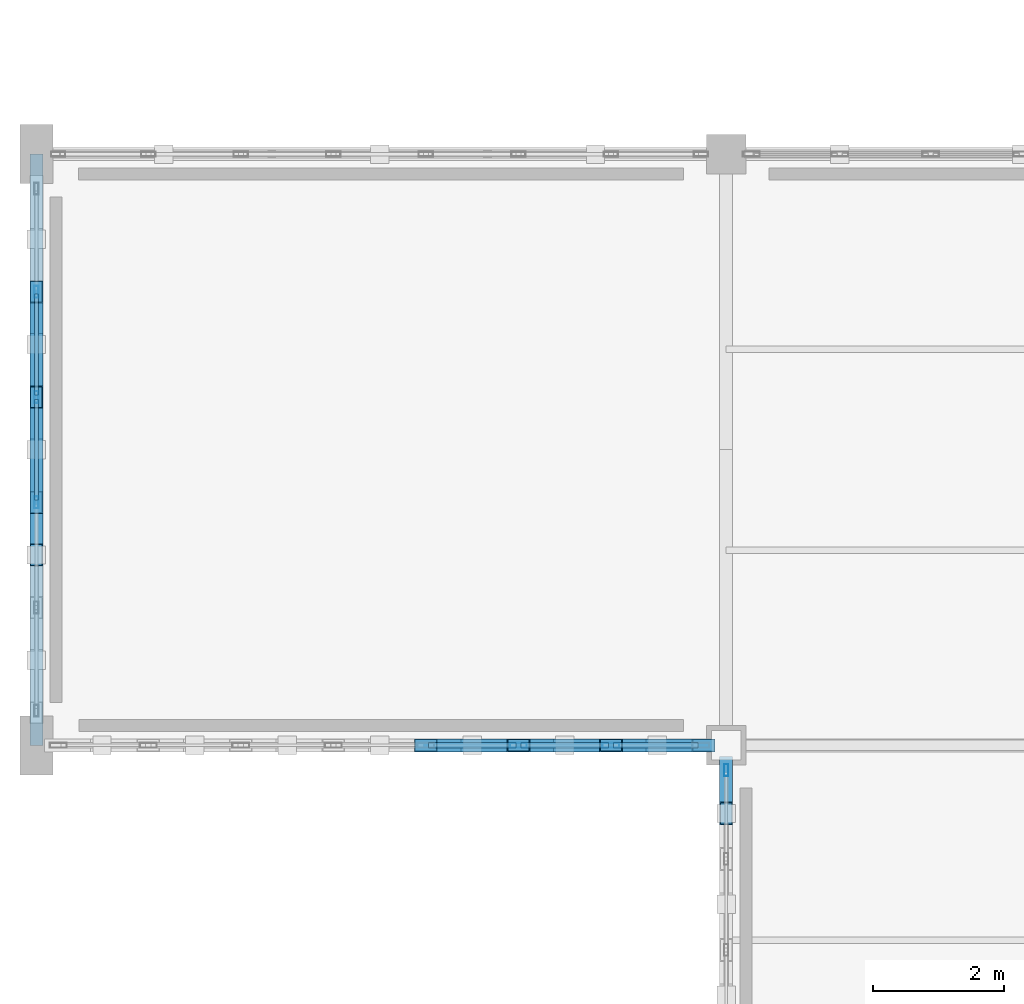
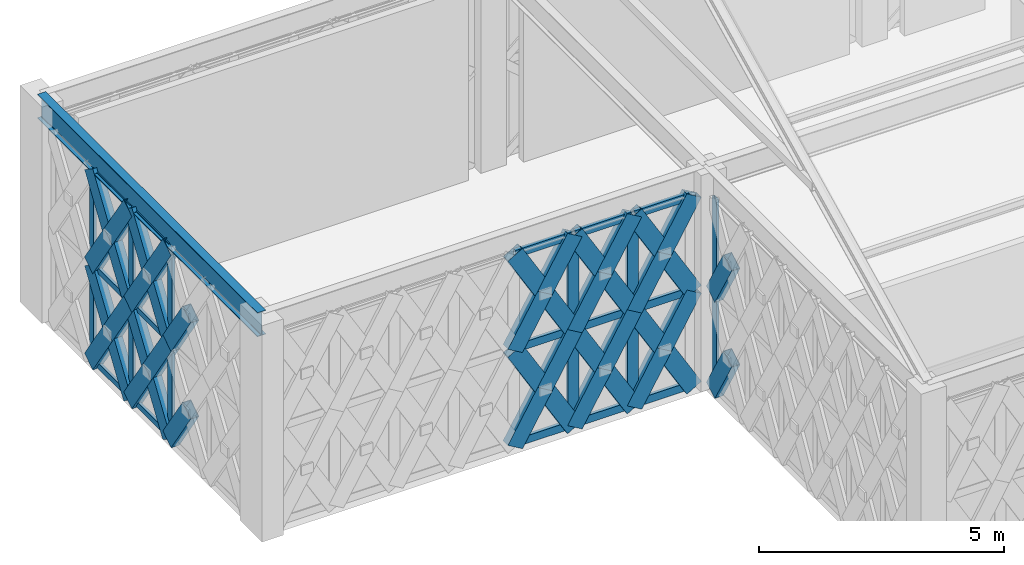
# One storey, part 5 of 32: 55 members, 1 beam, 3 elements without a shape of their own.
"""IFC4 building model written with IfcOpenShell, lengths in metres."""

from ifc_helpers import new_model, si_unit, direction, frame, origin, origin_2d, place, context, subcontext, project, spatial, hollow_rectangle, i_section, extrude, material, material_profile, profile_set, type_object, element, aggregate, save


model = new_model("IFC4")

# Units and contexts
model_context = context("Model", 3, precision=1e-05, world=origin(), true_north=direction((0.0, 1.0)))
body_context = subcontext(model_context, "Body", "Model", "MODEL_VIEW")
ifc_project = project(units=[si_unit("LENGTHUNIT", "METRE"), si_unit("AREAUNIT", "SQUARE_METRE"), si_unit("VOLUMEUNIT", "CUBIC_METRE"), si_unit("PLANEANGLEUNIT", "RADIAN"), si_unit("MASSUNIT", "GRAM", prefix="KILO")], contexts=[model_context])

# Site, building, storey
site_placement = place(None, origin())
site = spatial("IfcSite", under=ifc_project, at=site_placement, CompositionType="ELEMENT")
building_placement = place(site_placement, origin())
building = spatial("IfcBuilding", under=site, at=building_placement, Name="Haizhuo Lancet Aquarium", CompositionType="ELEMENT")
storey_placement = place(building_placement, frame((0.0, 0.0, 27.0)))
storey = spatial("IfcBuildingStorey", under=building, at=storey_placement, Name="L05", CompositionType="ELEMENT", Elevation=27.0)

# Beam
ifc_material_1 = material(Name="Steel S355", Category="steel")
ifc_material_profile_1 = material_profile(ifc_material_1, i_section(OverallWidth=0.199951171875, OverallDepth=0.60009765625, WebThickness=0.010986328125, FlangeThickness=0.01708984375, FilletRadius=0.02197265625, at=origin_2d()), Name="HN 600x200x11x17")
ifc_profile_set_1 = profile_set([ifc_material_profile_1], Name="Steel S355")
beam_type = type_object("IfcBeamType", Name="BM-ST-HN600", PredefinedType="BEAM", material=ifc_profile_set_1)
beam_placement = place(storey_placement, frame((-82.5, -18.0, 5.10009765625), z_axis=(0.0, 1.0, 0.0), x_axis=(-1.0, 0.0, 0.0)))
element("IfcBeam", 1, at=beam_placement, inside=storey, type_object=beam_type, Name="L05 V6 primary girder BM-L05-V6-001", PredefinedType="BEAM", context=body_context, shape_type="SweptSolid", body=[
    extrude(i_section(OverallWidth=0.199951171875, OverallDepth=0.60009765625, WebThickness=0.010986328125, FlangeThickness=0.01708984375, FilletRadius=0.02197265625, at=origin_2d()), origin(), (0.0, 0.0, 1.0), 9.0),
])

# Curtain wall, members
ifc_material_2 = material(Name="Aluminium 6063-T6", Category="aluminium")
curtain_wall_type_1 = type_object("IfcCurtainWallType", Name="CWD-8010x4800", PredefinedType="NOTDEFINED", material=ifc_material_2)
curtain_wall_1_placement = place(storey_placement, origin())
curtain_wall_1 = element("IfcCurtainWall", 2, at=curtain_wall_1_placement, inside=storey, type_object=curtain_wall_type_1, Name="L05 curtain wall CW-V6-L05-259", PredefinedType="NOTDEFINED")
ifc_material_profile_2 = material_profile(ifc_material_2, hollow_rectangle(XDim=0.06494140625, YDim=0.179931640625, WallThickness=0.00390625, at=origin_2d()), Name="ALU-M 65x180x4")
ifc_profile_set_2 = profile_set([ifc_material_profile_2], Name="Aluminium 6063-T6")
member_type_1 = type_object("IfcMemberType", Name="CW-MUL-1", PredefinedType="MULLION", material=ifc_profile_set_2)
member_1_placement = place(storey_placement, frame((-82.5, -14.301025390625, 0.0), z_axis=(0.0, 0.0, 1.0), x_axis=(-1.0, 0.0, 0.0)))
member_1 = element("IfcMember", 3, at=member_1_placement, type_object=member_type_1, Name="CWD-80x48 mullion 3", PredefinedType="MULLION", context=body_context, shape_type="SweptSolid", body=[
    extrude(hollow_rectangle(XDim=0.06494140625, YDim=0.179931640625, WallThickness=0.00390625, at=origin_2d()), origin(), (0.0, 0.0, 1.0), 4.800048828125),
])
member_2_placement = place(storey_placement, frame((-82.5, -12.698974609375, 0.0), z_axis=(0.0, 0.0, 1.0), x_axis=(-1.0, 0.0, 0.0)))
member_2 = element("IfcMember", 4, at=member_2_placement, type_object=member_type_1, Name="CWD-80x48 mullion 4", PredefinedType="MULLION", context=body_context, shape_type="SweptSolid", body=[
    extrude(hollow_rectangle(XDim=0.06494140625, YDim=0.179931640625, WallThickness=0.00390625, at=origin_2d()), origin(), (0.0, 0.0, 1.0), 4.800048828125),
])
member_3_placement = place(storey_placement, frame((-82.5, -11.096923828125, 0.0), z_axis=(0.0, 0.0, 1.0), x_axis=(-1.0, 0.0, 0.0)))
member_3 = element("IfcMember", 5, at=member_3_placement, type_object=member_type_1, Name="CWD-80x48 mullion 5", PredefinedType="MULLION", context=body_context, shape_type="SweptSolid", body=[
    extrude(hollow_rectangle(XDim=0.06494140625, YDim=0.179931640625, WallThickness=0.00390625, at=origin_2d()), origin(), (0.0, 0.0, 1.0), 4.800048828125),
])

# Curtain wall, member
curtain_wall_type_2 = type_object("IfcCurtainWallType", Name="CWD-8310x4800", PredefinedType="NOTDEFINED", material=ifc_material_2)
curtain_wall_2_placement = place(storey_placement, origin())
curtain_wall_2 = element("IfcCurtainWall", 6, at=curtain_wall_2_placement, inside=storey, type_object=curtain_wall_type_2, Name="L05 curtain wall CW-V6-L05-271", PredefinedType="NOTDEFINED")
member_4_placement = place(storey_placement, frame((-72.0, -18.376953125, 0.0), z_axis=(0.0, 0.0, 1.0), x_axis=(-1.0, 0.0, 0.0)))
member_4 = element("IfcMember", 7, at=member_4_placement, type_object=member_type_1, Name="CWD-83x48 mullion 7", PredefinedType="MULLION", context=body_context, shape_type="SweptSolid", body=[
    extrude(hollow_rectangle(XDim=0.06494140625, YDim=0.179931640625, WallThickness=0.00390625, at=origin_2d()), origin(), (0.0, 0.0, 1.0), 4.800048828125),
])
aggregate(curtain_wall_2, [member_4])

# Curtain wall, members
curtain_wall_type_3 = type_object("IfcCurtainWallType", Name="CWD-9860x4800", PredefinedType="NOTDEFINED", material=ifc_material_2)
curtain_wall_3_placement = place(storey_placement, origin())
curtain_wall_3 = element("IfcCurtainWall", 8, at=curtain_wall_3_placement, inside=storey, type_object=curtain_wall_type_3, Name="L05 curtain wall CW-V6-L05-258", PredefinedType="NOTDEFINED")
ifc_material_profile_3 = material_profile(ifc_material_2, hollow_rectangle(XDim=0.080078125, YDim=0.260009765625, WallThickness=0.0048828125, at=origin_2d()), Name="ALU-M 80x260x5")
ifc_profile_set_3 = profile_set([ifc_material_profile_3], Name="Aluminium 6063-T6")
member_type_2 = type_object("IfcMemberType", Name="CW-MUL-3", PredefinedType="MULLION", material=ifc_profile_set_3)
member_5_placement = place(storey_placement, frame((-73.75390625, -18.0, 0.0), z_axis=(0.0, 0.0, 1.0), x_axis=(0.0, -1.0, 0.0)))
member_5 = element("IfcMember", 9, at=member_5_placement, type_object=member_type_2, Name="CWD-98x48 mullion 2", PredefinedType="MULLION", context=body_context, shape_type="SweptSolid", body=[
    extrude(hollow_rectangle(XDim=0.080078125, YDim=0.260009765625, WallThickness=0.0048828125, at=origin_2d()), origin(), (0.0, 0.0, 1.0), 4.800048828125),
])
member_6_placement = place(storey_placement, frame((-75.162109375, -18.0, 0.0), z_axis=(0.0, 0.0, 1.0), x_axis=(0.0, -1.0, 0.0)))
member_6 = element("IfcMember", 10, at=member_6_placement, type_object=member_type_2, Name="CWD-98x48 mullion 3", PredefinedType="MULLION", context=body_context, shape_type="SweptSolid", body=[
    extrude(hollow_rectangle(XDim=0.080078125, YDim=0.260009765625, WallThickness=0.0048828125, at=origin_2d()), origin(), (0.0, 0.0, 1.0), 4.800048828125),
])

# Member
ifc_material_profile_4 = material_profile(ifc_material_2, hollow_rectangle(XDim=0.06494140625, YDim=0.139892578125, WallThickness=0.00390625, at=origin_2d()), Name="ALU-T 65x140x4")
ifc_profile_set_4 = profile_set([ifc_material_profile_4], Name="Aluminium 6063-T6")
member_type_3 = type_object("IfcMemberType", Name="CW-TRN-1", PredefinedType="NOTDEFINED", material=ifc_profile_set_4)
member_7_placement = place(storey_placement, frame((-82.5, -14.26806640625, 0.031982421875), z_axis=(0.0, 1.0, 0.0), x_axis=(-1.0, 0.0, 0.0)))
member_7 = element("IfcMember", 11, at=member_7_placement, type_object=member_type_3, Name="CWD-80x48 transom 3.1", ObjectType="TRANSOM", PredefinedType="USERDEFINED", context=body_context, shape_type="SweptSolid", body=[
    extrude(hollow_rectangle(XDim=0.06494140625, YDim=0.139892578125, WallThickness=0.00390625, at=origin_2d()), origin(), (0.0, 0.0, 1.0), 1.5361328125),
])

member_8_placement = place(storey_placement, frame((-82.5, -14.26806640625, 2.39990234375), z_axis=(0.0, 1.0, 0.0), x_axis=(-1.0, 0.0, 0.0)))
member_8 = element("IfcMember", 12, at=member_8_placement, type_object=member_type_3, Name="CWD-80x48 transom 3.2", ObjectType="TRANSOM", PredefinedType="USERDEFINED", context=body_context, shape_type="SweptSolid", body=[
    extrude(hollow_rectangle(XDim=0.06494140625, YDim=0.139892578125, WallThickness=0.00390625, at=origin_2d()), origin(), (0.0, 0.0, 1.0), 1.5361328125),
])

member_9_placement = place(storey_placement, frame((-82.5, -14.26806640625, 4.76806640625), z_axis=(0.0, 1.0, 0.0), x_axis=(-1.0, 0.0, 0.0)))
member_9 = element("IfcMember", 13, at=member_9_placement, type_object=member_type_3, Name="CWD-80x48 transom 3.3", ObjectType="TRANSOM", PredefinedType="USERDEFINED", context=body_context, shape_type="SweptSolid", body=[
    extrude(hollow_rectangle(XDim=0.06494140625, YDim=0.139892578125, WallThickness=0.00390625, at=origin_2d()), origin(), (0.0, 0.0, 1.0), 1.5361328125),
])

member_10_placement = place(storey_placement, frame((-82.5, -12.666015625, 0.031982421875), z_axis=(0.0, 1.0, 0.0), x_axis=(-1.0, 0.0, 0.0)))
member_10 = element("IfcMember", 14, at=member_10_placement, type_object=member_type_3, Name="CWD-80x48 transom 4.1", ObjectType="TRANSOM", PredefinedType="USERDEFINED", context=body_context, shape_type="SweptSolid", body=[
    extrude(hollow_rectangle(XDim=0.06494140625, YDim=0.139892578125, WallThickness=0.00390625, at=origin_2d()), origin(), (0.0, 0.0, 1.0), 1.5361328125),
])

member_11_placement = place(storey_placement, frame((-82.5, -12.666015625, 2.39990234375), z_axis=(0.0, 1.0, 0.0), x_axis=(-1.0, 0.0, 0.0)))
member_11 = element("IfcMember", 15, at=member_11_placement, type_object=member_type_3, Name="CWD-80x48 transom 4.2", ObjectType="TRANSOM", PredefinedType="USERDEFINED", context=body_context, shape_type="SweptSolid", body=[
    extrude(hollow_rectangle(XDim=0.06494140625, YDim=0.139892578125, WallThickness=0.00390625, at=origin_2d()), origin(), (0.0, 0.0, 1.0), 1.5361328125),
])

member_12_placement = place(storey_placement, frame((-82.5, -12.666015625, 4.76806640625), z_axis=(0.0, 1.0, 0.0), x_axis=(-1.0, 0.0, 0.0)))
member_12 = element("IfcMember", 16, at=member_12_placement, type_object=member_type_3, Name="CWD-80x48 transom 4.3", ObjectType="TRANSOM", PredefinedType="USERDEFINED", context=body_context, shape_type="SweptSolid", body=[
    extrude(hollow_rectangle(XDim=0.06494140625, YDim=0.139892578125, WallThickness=0.00390625, at=origin_2d()), origin(), (0.0, 0.0, 1.0), 1.5361328125),
])

aggregate(curtain_wall_1, [member_1, member_2, member_3, member_7, member_8, member_9, member_10, member_11, member_12])

ifc_material_profile_5 = material_profile(ifc_material_2, hollow_rectangle(XDim=0.080078125, YDim=0.18994140625, WallThickness=0.0048828125, at=origin_2d()), Name="ALU-T 80x190x5")
ifc_profile_set_5 = profile_set([ifc_material_profile_5], Name="Aluminium 6063-T6")
member_type_4 = type_object("IfcMemberType", Name="CW-TRN-3", PredefinedType="NOTDEFINED", material=ifc_profile_set_5)
member_13_placement = place(storey_placement, frame((-72.425048828125, -18.0, 0.0400390625), z_axis=(-1.0, 0.0, 0.0), x_axis=(0.0, -1.0, 0.0)))
member_13 = element("IfcMember", 17, at=member_13_placement, type_object=member_type_4, Name="CWD-98x48 transom 1.1", ObjectType="TRANSOM", PredefinedType="USERDEFINED", context=body_context, shape_type="SweptSolid", body=[
    extrude(hollow_rectangle(XDim=0.080078125, YDim=0.18994140625, WallThickness=0.0048828125, at=origin_2d()), origin(), (0.0, 0.0, 1.0), 1.2890625),
])

member_14_placement = place(storey_placement, frame((-72.425048828125, -18.0, 2.39990234375), z_axis=(-1.0, 0.0, 0.0), x_axis=(0.0, -1.0, 0.0)))
member_14 = element("IfcMember", 18, at=member_14_placement, type_object=member_type_4, Name="CWD-98x48 transom 1.2", ObjectType="TRANSOM", PredefinedType="USERDEFINED", context=body_context, shape_type="SweptSolid", body=[
    extrude(hollow_rectangle(XDim=0.080078125, YDim=0.18994140625, WallThickness=0.0048828125, at=origin_2d()), origin(), (0.0, 0.0, 1.0), 1.2890625),
])

member_15_placement = place(storey_placement, frame((-72.425048828125, -18.0, 4.760009765625), z_axis=(-1.0, 0.0, 0.0), x_axis=(0.0, -1.0, 0.0)))
member_15 = element("IfcMember", 19, at=member_15_placement, type_object=member_type_4, Name="CWD-98x48 transom 1.3", ObjectType="TRANSOM", PredefinedType="USERDEFINED", context=body_context, shape_type="SweptSolid", body=[
    extrude(hollow_rectangle(XDim=0.080078125, YDim=0.18994140625, WallThickness=0.0048828125, at=origin_2d()), origin(), (0.0, 0.0, 1.0), 1.2890625),
])

member_16_placement = place(storey_placement, frame((-73.7939453125, -18.0, 0.0400390625), z_axis=(-1.0, 0.0, 0.0), x_axis=(0.0, -1.0, 0.0)))
member_16 = element("IfcMember", 20, at=member_16_placement, type_object=member_type_4, Name="CWD-98x48 transom 2.1", ObjectType="TRANSOM", PredefinedType="USERDEFINED", context=body_context, shape_type="SweptSolid", body=[
    extrude(hollow_rectangle(XDim=0.080078125, YDim=0.18994140625, WallThickness=0.0048828125, at=origin_2d()), origin(), (0.0, 0.0, 1.0), 1.328125),
])

member_17_placement = place(storey_placement, frame((-73.7939453125, -18.0, 2.39990234375), z_axis=(-1.0, 0.0, 0.0), x_axis=(0.0, -1.0, 0.0)))
member_17 = element("IfcMember", 21, at=member_17_placement, type_object=member_type_4, Name="CWD-98x48 transom 2.2", ObjectType="TRANSOM", PredefinedType="USERDEFINED", context=body_context, shape_type="SweptSolid", body=[
    extrude(hollow_rectangle(XDim=0.080078125, YDim=0.18994140625, WallThickness=0.0048828125, at=origin_2d()), origin(), (0.0, 0.0, 1.0), 1.328125),
])

member_18_placement = place(storey_placement, frame((-73.7939453125, -18.0, 4.760009765625), z_axis=(-1.0, 0.0, 0.0), x_axis=(0.0, -1.0, 0.0)))
member_18 = element("IfcMember", 22, at=member_18_placement, type_object=member_type_4, Name="CWD-98x48 transom 2.3", ObjectType="TRANSOM", PredefinedType="USERDEFINED", context=body_context, shape_type="SweptSolid", body=[
    extrude(hollow_rectangle(XDim=0.080078125, YDim=0.18994140625, WallThickness=0.0048828125, at=origin_2d()), origin(), (0.0, 0.0, 1.0), 1.328125),
])

member_19_placement = place(storey_placement, frame((-75.201904296875, -18.0, 0.0400390625), z_axis=(-1.0, 0.0, 0.0), x_axis=(0.0, -1.0, 0.0)))
member_19 = element("IfcMember", 23, at=member_19_placement, type_object=member_type_4, Name="CWD-98x48 transom 3.1", ObjectType="TRANSOM", PredefinedType="USERDEFINED", context=body_context, shape_type="SweptSolid", body=[
    extrude(hollow_rectangle(XDim=0.080078125, YDim=0.18994140625, WallThickness=0.0048828125, at=origin_2d()), origin(), (0.0, 0.0, 1.0), 1.3291015625),
])

member_20_placement = place(storey_placement, frame((-75.201904296875, -18.0, 2.39990234375), z_axis=(-1.0, 0.0, 0.0), x_axis=(0.0, -1.0, 0.0)))
member_20 = element("IfcMember", 24, at=member_20_placement, type_object=member_type_4, Name="CWD-98x48 transom 3.2", ObjectType="TRANSOM", PredefinedType="USERDEFINED", context=body_context, shape_type="SweptSolid", body=[
    extrude(hollow_rectangle(XDim=0.080078125, YDim=0.18994140625, WallThickness=0.0048828125, at=origin_2d()), origin(), (0.0, 0.0, 1.0), 1.3291015625),
])

member_21_placement = place(storey_placement, frame((-75.201904296875, -18.0, 4.760009765625), z_axis=(-1.0, 0.0, 0.0), x_axis=(0.0, -1.0, 0.0)))
member_21 = element("IfcMember", 25, at=member_21_placement, type_object=member_type_4, Name="CWD-98x48 transom 3.3", ObjectType="TRANSOM", PredefinedType="USERDEFINED", context=body_context, shape_type="SweptSolid", body=[
    extrude(hollow_rectangle(XDim=0.080078125, YDim=0.18994140625, WallThickness=0.0048828125, at=origin_2d()), origin(), (0.0, 0.0, 1.0), 1.3291015625),
])

aggregate(curtain_wall_3, [member_5, member_6, member_13, member_14, member_15, member_16, member_17, member_18, member_19, member_20, member_21])

# Members
ifc_material_profile_6 = material_profile(ifc_material_1, hollow_rectangle(XDim=0.199951171875, YDim=0.39990234375, WallThickness=0.011962890625, at=origin_2d()), Name="RHS 200x400x12")
ifc_profile_set_6 = profile_set([ifc_material_profile_6], Name="Steel S355")
member_type_5 = type_object("IfcMemberType", Name="MEM-LB-RHS200x400", PredefinedType="BRACE", material=ifc_profile_set_6)
member_22_placement = place(storey_placement, frame((-72.344970703125, -18.0, 0.0), z_axis=(-0.506280000041, 0.0, 0.862369156196), x_axis=(0.0, -1.0, 0.0)))
element("IfcMember", 26, at=member_22_placement, inside=storey, type_object=member_type_5, Name="Gothic lancet continuous diagonal brace CW-V6-L05-258 1A", PredefinedType="BRACE", context=body_context, shape_type="SweptSolid", body=[
    extrude(hollow_rectangle(XDim=0.199951171875, YDim=0.39990234375, WallThickness=0.011962890625, at=origin_2d()), origin(), (0.0, 0.0, 1.0), 2.782958984375),
])
member_23_placement = place(storey_placement, frame((-73.75390625, -18.0, 0.0), z_axis=(0.506475686411, 0.0, 0.862254242712), x_axis=(0.0, 1.0, 0.0)))
element("IfcMember", 27, at=member_23_placement, inside=storey, type_object=member_type_5, Name="Gothic lancet split diagonal brace CW-V6-L05-258 1B1", PredefinedType="BRACE", context=body_context, shape_type="SweptSolid", body=[
    extrude(hollow_rectangle(XDim=0.199951171875, YDim=0.39990234375, WallThickness=0.011962890625, at=origin_2d()), origin(), (0.0, 0.0, 1.0), 1.3916015625),
])
member_24_placement = place(storey_placement, frame((-73.049072265625, -18.0, 1.199951171875), z_axis=(0.506084235433, 0.0, 0.862484055879), x_axis=(0.0, 1.0, 0.0)))
element("IfcMember", 28, at=member_24_placement, inside=storey, type_object=member_type_5, Name="Gothic lancet split diagonal brace CW-V6-L05-258 1B2", PredefinedType="BRACE", context=body_context, shape_type="SweptSolid", body=[
    extrude(hollow_rectangle(XDim=0.199951171875, YDim=0.39990234375, WallThickness=0.011962890625, at=origin_2d()), origin(), (0.0, 0.0, 1.0), 1.391357421875),
])
member_25_placement = place(storey_placement, frame((-72.344970703125, -18.0, 2.39990234375), z_axis=(-0.506241700243, 0.0, 0.862391640112), x_axis=(0.0, -1.0, 0.0)))
element("IfcMember", 29, at=member_25_placement, inside=storey, type_object=member_type_5, Name="Gothic lancet continuous diagonal brace CW-V6-L05-258 2A", PredefinedType="BRACE", context=body_context, shape_type="SweptSolid", body=[
    extrude(hollow_rectangle(XDim=0.199951171875, YDim=0.39990234375, WallThickness=0.011962890625, at=origin_2d()), origin(), (0.0, 0.0, 1.0), 2.783203125),
])
member_26_placement = place(storey_placement, frame((-73.75390625, -18.0, 2.39990234375), z_axis=(0.506399082419, 0.0, 0.862299234213), x_axis=(0.0, 1.0, 0.0)))
element("IfcMember", 30, at=member_26_placement, inside=storey, type_object=member_type_5, Name="Gothic lancet split diagonal brace CW-V6-L05-258 2B1", PredefinedType="BRACE", context=body_context, shape_type="SweptSolid", body=[
    extrude(hollow_rectangle(XDim=0.199951171875, YDim=0.39990234375, WallThickness=0.011962890625, at=origin_2d()), origin(), (0.0, 0.0, 1.0), 1.391845703125),
])
member_27_placement = place(storey_placement, frame((-73.049072265625, -18.0, 3.60009765625), z_axis=(0.506084235433, 0.0, 0.862484055879), x_axis=(0.0, 1.0, 0.0)))
element("IfcMember", 31, at=member_27_placement, inside=storey, type_object=member_type_5, Name="Gothic lancet split diagonal brace CW-V6-L05-258 2B2", PredefinedType="BRACE", context=body_context, shape_type="SweptSolid", body=[
    extrude(hollow_rectangle(XDim=0.199951171875, YDim=0.39990234375, WallThickness=0.011962890625, at=origin_2d()), origin(), (0.0, 0.0, 1.0), 1.391357421875),
])
member_28_placement = place(storey_placement, frame((-73.75390625, -18.0, 0.0), z_axis=(-0.506084235433, 0.0, 0.862484055879), x_axis=(0.0, -1.0, 0.0)))
element("IfcMember", 32, at=member_28_placement, inside=storey, type_object=member_type_5, Name="Gothic lancet continuous diagonal brace CW-V6-L05-258 3A", PredefinedType="BRACE", context=body_context, shape_type="SweptSolid", body=[
    extrude(hollow_rectangle(XDim=0.199951171875, YDim=0.39990234375, WallThickness=0.011962890625, at=origin_2d()), origin(), (0.0, 0.0, 1.0), 2.782470703125),
])
for number, where, z_axis, x_axis, name in (
    (33, (-75.162109375, -18.0, 0.0), (0.506084235433, 0.0, 0.862484055879), (0.0, 1.0, 0.0), "Gothic lancet split diagonal brace CW-V6-L05-258 3B1"),
    (34, (-74.4580078125, -18.0, 1.199951171875), (0.506084235433, 0.0, 0.862484055879), (0.0, 1.0, 0.0), "Gothic lancet split diagonal brace CW-V6-L05-258 3B2"),
):
    element("IfcMember", number, at=place(storey_placement, frame(where, z_axis=z_axis, x_axis=x_axis)), inside=storey, type_object=member_type_5, Name=name, PredefinedType="BRACE", context=body_context, shape_type="SweptSolid", body=[
        extrude(hollow_rectangle(XDim=0.199951171875, YDim=0.39990234375, WallThickness=0.011962890625, at=origin_2d()), origin(), (0.0, 0.0, 1.0), 1.391357421875),
    ])
member_29_placement = place(storey_placement, frame((-73.75390625, -18.0, 2.39990234375), z_axis=(-0.506045940243, 0.0, 0.862506525404), x_axis=(0.0, -1.0, 0.0)))
element("IfcMember", 35, at=member_29_placement, inside=storey, type_object=member_type_5, Name="Gothic lancet continuous diagonal brace CW-V6-L05-258 4A", PredefinedType="BRACE", context=body_context, shape_type="SweptSolid", body=[
    extrude(hollow_rectangle(XDim=0.199951171875, YDim=0.39990234375, WallThickness=0.011962890625, at=origin_2d()), origin(), (0.0, 0.0, 1.0), 2.78271484375),
])
member_30_placement = place(storey_placement, frame((-75.162109375, -18.0, 2.39990234375), z_axis=(0.50600764985, 0.0, 0.862528989828), x_axis=(0.0, 1.0, 0.0)))
element("IfcMember", 36, at=member_30_placement, inside=storey, type_object=member_type_5, Name="Gothic lancet split diagonal brace CW-V6-L05-258 4B1", PredefinedType="BRACE", context=body_context, shape_type="SweptSolid", body=[
    extrude(hollow_rectangle(XDim=0.199951171875, YDim=0.39990234375, WallThickness=0.011962890625, at=origin_2d()), origin(), (0.0, 0.0, 1.0), 1.3916015625),
])
member_31_placement = place(storey_placement, frame((-74.4580078125, -18.0, 3.60009765625), z_axis=(0.506084235433, 0.0, 0.862484055879), x_axis=(0.0, 1.0, 0.0)))
element("IfcMember", 37, at=member_31_placement, inside=storey, type_object=member_type_5, Name="Gothic lancet split diagonal brace CW-V6-L05-258 4B2", PredefinedType="BRACE", context=body_context, shape_type="SweptSolid", body=[
    extrude(hollow_rectangle(XDim=0.199951171875, YDim=0.39990234375, WallThickness=0.011962890625, at=origin_2d()), origin(), (0.0, 0.0, 1.0), 1.391357421875),
])
member_32_placement = place(storey_placement, frame((-75.162109375, -18.0, 0.0), z_axis=(-0.506280000041, 0.0, 0.862369156196), x_axis=(0.0, -1.0, 0.0)))
element("IfcMember", 38, at=member_32_placement, inside=storey, type_object=member_type_5, Name="Gothic lancet continuous diagonal brace CW-V6-L05-258 5A", PredefinedType="BRACE", context=body_context, shape_type="SweptSolid", body=[
    extrude(hollow_rectangle(XDim=0.199951171875, YDim=0.39990234375, WallThickness=0.011962890625, at=origin_2d()), origin(), (0.0, 0.0, 1.0), 2.782958984375),
])
member_33_placement = place(storey_placement, frame((-76.571044921875, -18.0, 0.0), z_axis=(0.506084235433, 0.0, 0.862484055879), x_axis=(0.0, 1.0, 0.0)))
element("IfcMember", 39, at=member_33_placement, inside=storey, type_object=member_type_5, Name="Gothic lancet split diagonal brace CW-V6-L05-258 5B1", PredefinedType="BRACE", context=body_context, shape_type="SweptSolid", body=[
    extrude(hollow_rectangle(XDim=0.199951171875, YDim=0.39990234375, WallThickness=0.011962890625, at=origin_2d()), origin(), (0.0, 0.0, 1.0), 1.391357421875),
])
member_34_placement = place(storey_placement, frame((-75.866943359375, -18.0, 1.199951171875), z_axis=(0.506475686411, 0.0, 0.862254242712), x_axis=(0.0, 1.0, 0.0)))
element("IfcMember", 40, at=member_34_placement, inside=storey, type_object=member_type_5, Name="Gothic lancet split diagonal brace CW-V6-L05-258 5B2", PredefinedType="BRACE", context=body_context, shape_type="SweptSolid", body=[
    extrude(hollow_rectangle(XDim=0.199951171875, YDim=0.39990234375, WallThickness=0.011962890625, at=origin_2d()), origin(), (0.0, 0.0, 1.0), 1.3916015625),
])
member_35_placement = place(storey_placement, frame((-75.162109375, -18.0, 2.39990234375), z_axis=(-0.506241700243, 0.0, 0.862391640112), x_axis=(0.0, -1.0, 0.0)))
element("IfcMember", 41, at=member_35_placement, inside=storey, type_object=member_type_5, Name="Gothic lancet continuous diagonal brace CW-V6-L05-258 6A", PredefinedType="BRACE", context=body_context, shape_type="SweptSolid", body=[
    extrude(hollow_rectangle(XDim=0.199951171875, YDim=0.39990234375, WallThickness=0.011962890625, at=origin_2d()), origin(), (0.0, 0.0, 1.0), 2.783203125),
])
for number, where, z_axis, x_axis, name in (
    (42, (-76.571044921875, -18.0, 2.39990234375), (0.50600764985, 0.0, 0.862528989828), (0.0, 1.0, 0.0), "Gothic lancet split diagonal brace CW-V6-L05-258 6B1"),
    (43, (-75.866943359375, -18.0, 3.60009765625), (0.506475686411, 0.0, 0.862254242712), (0.0, 1.0, 0.0), "Gothic lancet split diagonal brace CW-V6-L05-258 6B2"),
):
    element("IfcMember", number, at=place(storey_placement, frame(where, z_axis=z_axis, x_axis=x_axis)), inside=storey, type_object=member_type_5, Name=name, PredefinedType="BRACE", context=body_context, shape_type="SweptSolid", body=[
        extrude(hollow_rectangle(XDim=0.199951171875, YDim=0.39990234375, WallThickness=0.011962890625, at=origin_2d()), origin(), (0.0, 0.0, 1.0), 1.3916015625),
    ])
member_36_placement = place(storey_placement, frame((-82.5, -14.301025390625, 0.0), z_axis=(0.0, -0.555207750173, 0.831711701341), x_axis=(1.0, 0.0, 0.0)))
element("IfcMember", 44, at=member_36_placement, inside=storey, type_object=member_type_5, Name="Gothic lancet split diagonal brace CW-V6-L05-259 3B1", PredefinedType="BRACE", context=body_context, shape_type="SweptSolid", body=[
    extrude(hollow_rectangle(XDim=0.199951171875, YDim=0.39990234375, WallThickness=0.011962890625, at=origin_2d()), origin(), (0.0, 0.0, 1.0), 1.442626953125),
])
member_37_placement = place(storey_placement, frame((-82.5, -14.301025390625, 2.39990234375), z_axis=(0.0, -0.555129617962, 0.831763853063), x_axis=(1.0, 0.0, 0.0)))
element("IfcMember", 45, at=member_37_placement, inside=storey, type_object=member_type_5, Name="Gothic lancet split diagonal brace CW-V6-L05-259 4B1", PredefinedType="BRACE", context=body_context, shape_type="SweptSolid", body=[
    extrude(hollow_rectangle(XDim=0.199951171875, YDim=0.39990234375, WallThickness=0.011962890625, at=origin_2d()), origin(), (0.0, 0.0, 1.0), 1.44287109375),
])
member_38_placement = place(storey_placement, frame((-82.5, -14.301025390625, 0.0), z_axis=(0.0, 0.555207750173, 0.831711701341), x_axis=(-1.0, 0.0, 0.0)))
element("IfcMember", 46, at=member_38_placement, inside=storey, type_object=member_type_5, Name="Gothic lancet continuous diagonal brace CW-V6-L05-259 5A", PredefinedType="BRACE", context=body_context, shape_type="SweptSolid", body=[
    extrude(hollow_rectangle(XDim=0.199951171875, YDim=0.39990234375, WallThickness=0.011962890625, at=origin_2d()), origin(), (0.0, 0.0, 1.0), 2.885498046875),
])
for number, where, z_axis, x_axis, name in (
    (47, (-82.5, -12.698974609375, 0.0), (0.0, -0.555207750173, 0.831711701341), (1.0, 0.0, 0.0), "Gothic lancet split diagonal brace CW-V6-L05-259 5B1"),
    (48, (-82.5, -13.5, 1.199951171875), (0.0, -0.555207750173, 0.831711701341), (1.0, 0.0, 0.0), "Gothic lancet split diagonal brace CW-V6-L05-259 5B2"),
):
    element("IfcMember", number, at=place(storey_placement, frame(where, z_axis=z_axis, x_axis=x_axis)), inside=storey, type_object=member_type_5, Name=name, PredefinedType="BRACE", context=body_context, shape_type="SweptSolid", body=[
        extrude(hollow_rectangle(XDim=0.199951171875, YDim=0.39990234375, WallThickness=0.011962890625, at=origin_2d()), origin(), (0.0, 0.0, 1.0), 1.442626953125),
    ])
member_39_placement = place(storey_placement, frame((-82.5, -14.301025390625, 2.39990234375), z_axis=(0.0, 0.555168681931, 0.831737779954), x_axis=(-1.0, 0.0, 0.0)))
element("IfcMember", 49, at=member_39_placement, inside=storey, type_object=member_type_5, Name="Gothic lancet continuous diagonal brace CW-V6-L05-259 6A", PredefinedType="BRACE", context=body_context, shape_type="SweptSolid", body=[
    extrude(hollow_rectangle(XDim=0.199951171875, YDim=0.39990234375, WallThickness=0.011962890625, at=origin_2d()), origin(), (0.0, 0.0, 1.0), 2.8857421875),
])
member_40_placement = place(storey_placement, frame((-82.5, -12.698974609375, 2.39990234375), z_axis=(0.0, -0.555129617962, 0.831763853063), x_axis=(1.0, 0.0, 0.0)))
element("IfcMember", 50, at=member_40_placement, inside=storey, type_object=member_type_5, Name="Gothic lancet split diagonal brace CW-V6-L05-259 6B1", PredefinedType="BRACE", context=body_context, shape_type="SweptSolid", body=[
    extrude(hollow_rectangle(XDim=0.199951171875, YDim=0.39990234375, WallThickness=0.011962890625, at=origin_2d()), origin(), (0.0, 0.0, 1.0), 1.44287109375),
])
member_41_placement = place(storey_placement, frame((-82.5, -13.5, 3.60009765625), z_axis=(0.0, -0.555207750173, 0.831711701341), x_axis=(1.0, 0.0, 0.0)))
element("IfcMember", 51, at=member_41_placement, inside=storey, type_object=member_type_5, Name="Gothic lancet split diagonal brace CW-V6-L05-259 6B2", PredefinedType="BRACE", context=body_context, shape_type="SweptSolid", body=[
    extrude(hollow_rectangle(XDim=0.199951171875, YDim=0.39990234375, WallThickness=0.011962890625, at=origin_2d()), origin(), (0.0, 0.0, 1.0), 1.442626953125),
])
member_42_placement = place(storey_placement, frame((-82.5, -12.698974609375, 0.0), z_axis=(0.0, 0.555207750173, 0.831711701341), x_axis=(-1.0, 0.0, 0.0)))
element("IfcMember", 52, at=member_42_placement, inside=storey, type_object=member_type_5, Name="Gothic lancet continuous diagonal brace CW-V6-L05-259 7A", PredefinedType="BRACE", context=body_context, shape_type="SweptSolid", body=[
    extrude(hollow_rectangle(XDim=0.199951171875, YDim=0.39990234375, WallThickness=0.011962890625, at=origin_2d()), origin(), (0.0, 0.0, 1.0), 2.885498046875),
])
for number, where, z_axis, x_axis, name in (
    (53, (-82.5, -11.096923828125, 0.0), (0.0, -0.555207750173, 0.831711701341), (1.0, 0.0, 0.0), "Gothic lancet split diagonal brace CW-V6-L05-259 7B1"),
    (54, (-82.5, -11.89794921875, 1.199951171875), (0.0, -0.555207750173, 0.831711701341), (1.0, 0.0, 0.0), "Gothic lancet split diagonal brace CW-V6-L05-259 7B2"),
):
    element("IfcMember", number, at=place(storey_placement, frame(where, z_axis=z_axis, x_axis=x_axis)), inside=storey, type_object=member_type_5, Name=name, PredefinedType="BRACE", context=body_context, shape_type="SweptSolid", body=[
        extrude(hollow_rectangle(XDim=0.199951171875, YDim=0.39990234375, WallThickness=0.011962890625, at=origin_2d()), origin(), (0.0, 0.0, 1.0), 1.442626953125),
    ])
member_43_placement = place(storey_placement, frame((-82.5, -12.698974609375, 2.39990234375), z_axis=(0.0, 0.555168681931, 0.831737779954), x_axis=(-1.0, 0.0, 0.0)))
element("IfcMember", 55, at=member_43_placement, inside=storey, type_object=member_type_5, Name="Gothic lancet continuous diagonal brace CW-V6-L05-259 8A", PredefinedType="BRACE", context=body_context, shape_type="SweptSolid", body=[
    extrude(hollow_rectangle(XDim=0.199951171875, YDim=0.39990234375, WallThickness=0.011962890625, at=origin_2d()), origin(), (0.0, 0.0, 1.0), 2.8857421875),
])
member_44_placement = place(storey_placement, frame((-82.5, -11.096923828125, 2.39990234375), z_axis=(0.0, -0.555129617962, 0.831763853063), x_axis=(1.0, 0.0, 0.0)))
element("IfcMember", 56, at=member_44_placement, inside=storey, type_object=member_type_5, Name="Gothic lancet split diagonal brace CW-V6-L05-259 8B1", PredefinedType="BRACE", context=body_context, shape_type="SweptSolid", body=[
    extrude(hollow_rectangle(XDim=0.199951171875, YDim=0.39990234375, WallThickness=0.011962890625, at=origin_2d()), origin(), (0.0, 0.0, 1.0), 1.44287109375),
])
member_45_placement = place(storey_placement, frame((-82.5, -11.89794921875, 3.60009765625), z_axis=(0.0, -0.555207750173, 0.831711701341), x_axis=(1.0, 0.0, 0.0)))
element("IfcMember", 57, at=member_45_placement, inside=storey, type_object=member_type_5, Name="Gothic lancet split diagonal brace CW-V6-L05-259 8B2", PredefinedType="BRACE", context=body_context, shape_type="SweptSolid", body=[
    extrude(hollow_rectangle(XDim=0.199951171875, YDim=0.39990234375, WallThickness=0.011962890625, at=origin_2d()), origin(), (0.0, 0.0, 1.0), 1.442626953125),
])
member_46_placement = place(storey_placement, frame((-72.0, -18.344970703125, 0.0), z_axis=(0.0, -0.500174860769, 0.865924424332), x_axis=(1.0, 0.0, 0.0)))
element("IfcMember", 58, at=member_46_placement, inside=storey, type_object=member_type_5, Name="Gothic lancet split diagonal brace CW-V6-L05-271 11B1", PredefinedType="BRACE", context=body_context, shape_type="SweptSolid", body=[
    extrude(hollow_rectangle(XDim=0.199951171875, YDim=0.39990234375, WallThickness=0.011962890625, at=origin_2d()), origin(), (0.0, 0.0, 1.0), 1.3857421875),
])
member_47_placement = place(storey_placement, frame((-72.0, -18.344970703125, 2.39990234375), z_axis=(0.0, -0.500098564532, 0.865968490046), x_axis=(1.0, 0.0, 0.0)))
element("IfcMember", 59, at=member_47_placement, inside=storey, type_object=member_type_5, Name="Gothic lancet split diagonal brace CW-V6-L05-271 12B1", PredefinedType="BRACE", context=body_context, shape_type="SweptSolid", body=[
    extrude(hollow_rectangle(XDim=0.199951171875, YDim=0.39990234375, WallThickness=0.011962890625, at=origin_2d()), origin(), (0.0, 0.0, 1.0), 1.385986328125),
])

save(model, "model.ifc")
